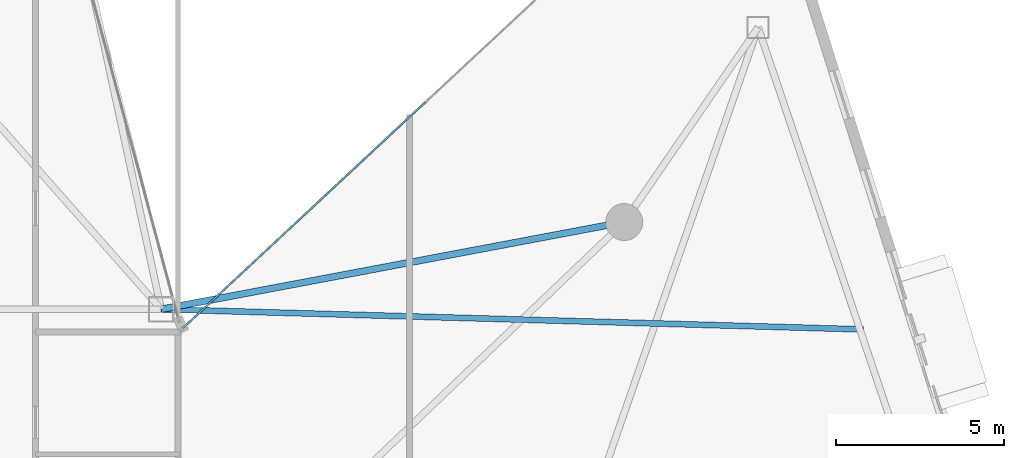
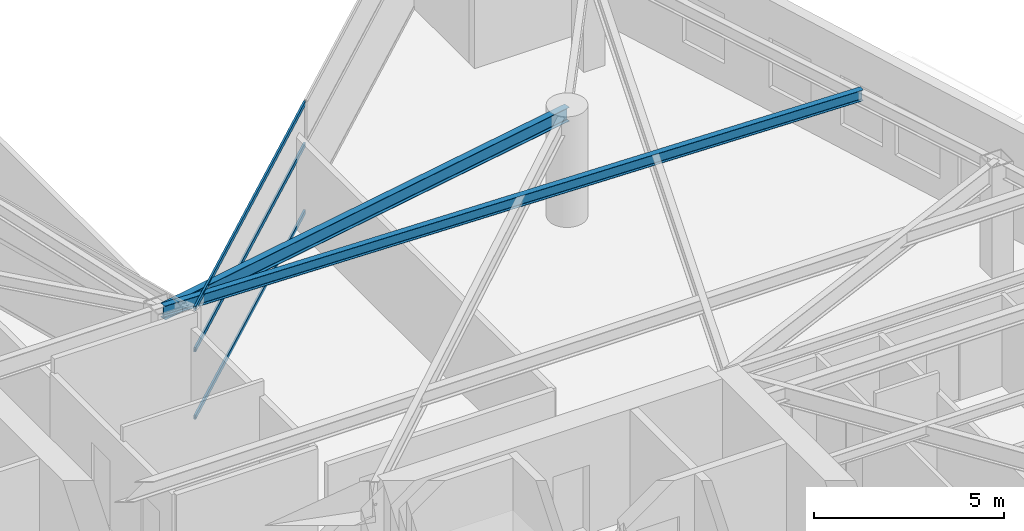
# One storey, part 11 of 27: 3 members, 2 beams, 1 element without a shape of its own.
"""IFC4 building model written with IfcOpenShell, lengths in metres."""

from ifc_helpers import new_model, si_unit, direction, frame, origin, origin_2d, place, context, subcontext, project, spatial, hollow_rectangle, i_section, extrude, material, layer, layer_set, material_profile, profile_set, type_object, element, aggregate, save


model = new_model("IFC4")

# Units and contexts
model_context = context("Model", 3, precision=1e-05, world=origin(), true_north=direction((0.0, 1.0)))
body_context = subcontext(model_context, "Body", "Model", "MODEL_VIEW")
ifc_project = project(units=[si_unit("LENGTHUNIT", "METRE"), si_unit("AREAUNIT", "SQUARE_METRE"), si_unit("VOLUMEUNIT", "CUBIC_METRE"), si_unit("PLANEANGLEUNIT", "RADIAN"), si_unit("MASSUNIT", "GRAM", prefix="KILO")], contexts=[model_context])

# Site, building, storey
site_placement = place(None, origin())
site = spatial("IfcSite", under=ifc_project, at=site_placement, CompositionType="ELEMENT")
building_placement = place(site_placement, origin())
building = spatial("IfcBuilding", under=site, at=building_placement, Name="Calvorn Quay Hotel", CompositionType="ELEMENT")
storey_placement = place(building_placement, frame((0.0, 0.0, 223.10009765625)))
storey = spatial("IfcBuildingStorey", under=building, at=storey_placement, Name="L55", CompositionType="ELEMENT", Elevation=223.10009765625)

# Beams
ifc_material_1 = material(Name="Steel Q355B", Category="steel")
ifc_material_profile_1 = material_profile(ifc_material_1, i_section(OverallWidth=0.175048828125, OverallDepth=0.35009765625, WebThickness=0.007080078125, FlangeThickness=0.010986328125, FilletRadius=0.013916015625, at=origin_2d()), Name="HN350x175x7x11")
ifc_profile_set_1 = profile_set([ifc_material_profile_1], Name="Steel Q355B")
beam_type_1 = type_object("IfcBeamType", Name="BM-JOIST-SEC", PredefinedType="JOIST", material=ifc_profile_set_1)
beam_1_placement = place(storey_placement, frame((21.0, 25.0, 3.364990234375), z_axis=(0.999589103827, -0.028663975842, 0.0), x_axis=(0.028663975842, 0.999589103827, 0.0)))
element("IfcBeam", 1, at=beam_1_placement, inside=storey, type_object=beam_type_1, Name="Beam BJ-L55-E3", PredefinedType="JOIST", context=body_context, shape_type="SweptSolid", body=[
    extrude(i_section(OverallWidth=0.175048828125, OverallDepth=0.35009765625, WebThickness=0.007080078125, FlangeThickness=0.010986328125, FilletRadius=0.013916015625, at=origin_2d()), origin(), (0.0, 0.0, 1.0), 20.935546875),
])
ifc_material_2 = material(Name="Steel Q355B", Category="steel")
ifc_material_profile_2 = material_profile(ifc_material_2, i_section(OverallWidth=0.199951171875, OverallDepth=0.449951171875, WebThickness=0.009033203125, FlangeThickness=0.013916015625, FilletRadius=0.01611328125, at=origin_2d()), Name="HN450x200x9x14")
ifc_profile_set_2 = profile_set([ifc_material_profile_2], Name="Steel Q355B")
beam_type_2 = type_object("IfcBeamType", Name="BM-SPANDREL-Z3", PredefinedType="SPANDREL", material=ifc_profile_set_2)
beam_2_placement = place(storey_placement, frame((34.800048828125, 27.60009765625, 3.31494140625), z_axis=(-0.982709432406, -0.185154452988, 0.0), x_axis=(0.185154452988, -0.982709432406, 0.0)))
element("IfcBeam", 2, at=beam_2_placement, inside=storey, type_object=beam_type_2, Name="Beam BSP-L55-E4", PredefinedType="SPANDREL", context=body_context, shape_type="SweptSolid", body=[
    extrude(i_section(OverallWidth=0.199951171875, OverallDepth=0.449951171875, WebThickness=0.009033203125, FlangeThickness=0.013916015625, FilletRadius=0.01611328125, at=origin_2d()), origin(), (0.0, 0.0, 1.0), 14.04296875),
])

# Curtain wall, members
ifc_material_3 = material(Name="Champagne Bronze Anodised Aluminium and Low-E Glass", Category="aluminium")
ifc_layer = layer(ifc_material_3, 0.219970703125)
ifc_layer_set = layer_set([ifc_layer], Name="CW-SYS-Z3")
curtain_wall_type = type_object("IfcCurtainWallType", Name="CW-SYS-Z3", PredefinedType="NOTDEFINED", material=ifc_layer_set)
curtain_wall_placement = place(storey_placement, origin())
curtain_wall = element("IfcCurtainWall", 3, at=curtain_wall_placement, inside=storey, type_object=curtain_wall_type, Name="Inner Court Curtain Wall L55-NE1", PredefinedType="NOTDEFINED")
ifc_material_4 = material(Name="Champagne Bronze Anodised Aluminium 6063-T6", Category="aluminium")
ifc_material_profile_3 = material_profile(ifc_material_4, hollow_rectangle(XDim=0.05810546875, YDim=0.139892578125, WallThickness=0.003173828125, at=origin_2d()), Name="ALU-T140x58x3.2")
ifc_profile_set_3 = profile_set([ifc_material_profile_3], Name="Champagne Bronze Anodised Aluminium 6063-T6")
member_type = type_object("IfcMemberType", Name="CW-SYS-Z3-TRN", PredefinedType="USERDEFINED", material=ifc_profile_set_3)
member_1_placement = place(storey_placement, frame((28.8779296875, 31.179443359375, 0.02978515625), z_axis=(-0.731727475975, -0.681597315798, 0.0), x_axis=(0.681597315798, -0.731727475975, 0.0)))
member_1 = element("IfcMember", 4, at=member_1_placement, type_object=member_type, Name="CW-L55-NE1 transom 2.1", ObjectType="TRANSOM", PredefinedType="USERDEFINED", context=body_context, shape_type="SweptSolid", body=[
    extrude(hollow_rectangle(XDim=0.05810546875, YDim=0.139892578125, WallThickness=0.003173828125, at=origin_2d()), origin(), (0.0, 0.0, 1.0), 9.886474609375),
])
member_2_placement = place(storey_placement, frame((28.8779296875, 31.179443359375, 2.199951171875), z_axis=(-0.731727475975, -0.681597315798, 0.0), x_axis=(0.681597315798, -0.731727475975, 0.0)))
member_2 = element("IfcMember", 5, at=member_2_placement, type_object=member_type, Name="CW-L55-NE1 transom 2.2", ObjectType="TRANSOM", PredefinedType="USERDEFINED", context=body_context, shape_type="SweptSolid", body=[
    extrude(hollow_rectangle(XDim=0.05810546875, YDim=0.139892578125, WallThickness=0.003173828125, at=origin_2d()), origin(), (0.0, 0.0, 1.0), 9.886474609375),
])
member_3_placement = place(storey_placement, frame((28.8779296875, 31.179443359375, 3.52978515625), z_axis=(-0.731727475975, -0.681597315798, 0.0), x_axis=(0.681597315798, -0.731727475975, 0.0)))
member_3 = element("IfcMember", 6, at=member_3_placement, type_object=member_type, Name="CW-L55-NE1 transom 2.3", ObjectType="TRANSOM", PredefinedType="USERDEFINED", context=body_context, shape_type="SweptSolid", body=[
    extrude(hollow_rectangle(XDim=0.05810546875, YDim=0.139892578125, WallThickness=0.003173828125, at=origin_2d()), origin(), (0.0, 0.0, 1.0), 9.886474609375),
])
aggregate(curtain_wall, [member_1, member_2, member_3])

save(model, "model.ifc")
